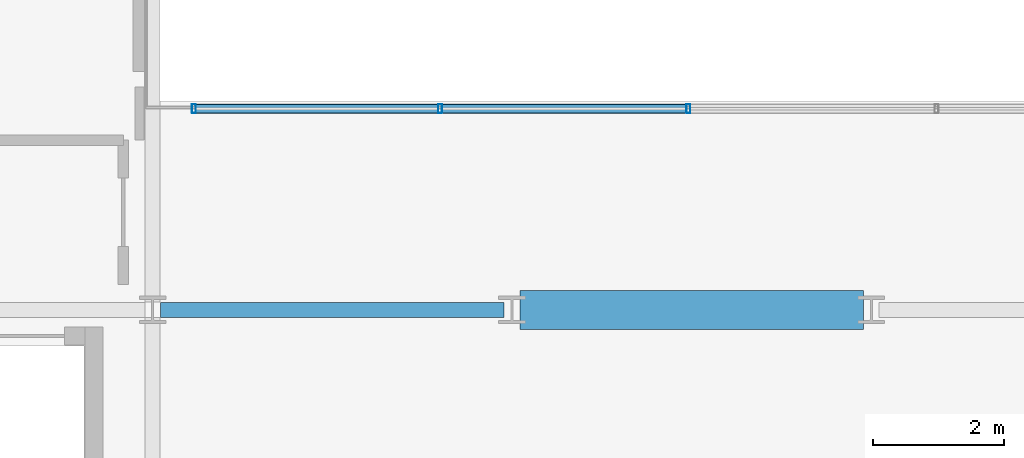
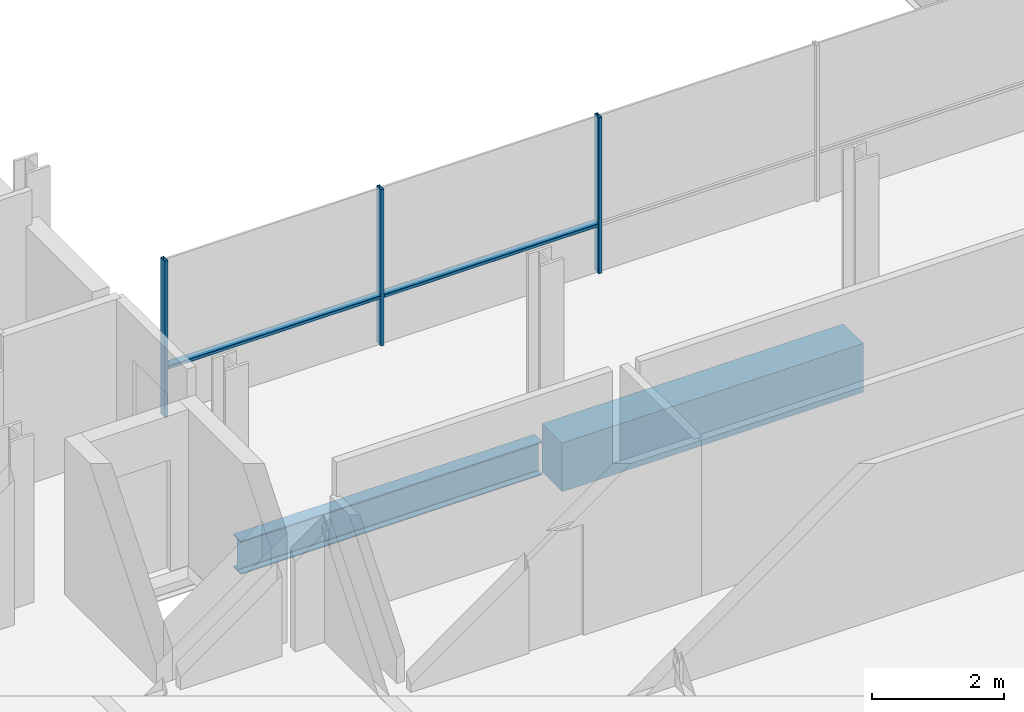
# One storey, part 4 of 38: 5 members, 2 beams, 1 element without a shape of its own.
"""IFC4 building model written with IfcOpenShell, lengths in metres."""

import ifcopenshell
import ifcopenshell.guid

model = None  # the IFC model being written
_history = None  # IfcOwnerHistory: only IFC2X3 demands one
_inside = {}  # id of a spatial element -> (the spatial element, [elements in it])
_under = {}  # id of a project, library or spatial element -> (it, [spatial elements below it])
_declared = {}  # id of a project -> (the project, [libraries it declares])
_typed = {}  # id of a type object -> (the type object, [elements of that type])
_made_of = {}  # id of a material, layer set ... -> (it, [elements and type objects made of it])


def new_model(schema):
    """Start an empty IFC model of exactly this schema.

    Asked for "IFC4X3", IfcOpenShell would pick the latest addendum, in which some entities
    have other attributes; the version numbers below select the first issue.
    IFC2X3 requires an IfcOwnerHistory on every rooted entity: one is made here for all.
    """
    global model, _history
    if schema == "IFC4X3":
        model = ifcopenshell.file(schema_version=(4, 3, 0, 0))
    else:
        model = ifcopenshell.file(schema=schema)
    _inside.clear()
    _under.clear()
    _declared.clear()
    _typed.clear()
    _made_of.clear()
    _history = None
    if model.schema == "IFC2X3":
        org = make("IfcOrganization", Name="unknown")
        user = make(
            "IfcPersonAndOrganization",
            ThePerson=make("IfcPerson", FamilyName="unknown"),
            TheOrganization=org,
        )
        app = make(
            "IfcApplication",
            ApplicationDeveloper=org,
            Version="unknown",
            ApplicationFullName="unknown",
            ApplicationIdentifier="unknown",
        )
        _history = make(
            "IfcOwnerHistory",
            OwningUser=user,
            OwningApplication=app,
            ChangeAction="ADDED",
            CreationDate=0,
        )
    return model


def make(cls, **values):
    """One entity of the class cls with the attributes given. An attribute that is None is left unset."""
    return model.create_entity(
        cls, **{name: value for name, value in values.items() if value is not None}
    )


def rooted(cls, **values):
    """An entity with a GlobalId (a new one), such as an element, a storey or a relation."""
    return make(cls, GlobalId=ifcopenshell.guid.new(), OwnerHistory=_history, **values)


def si_unit(unit_type, name, prefix=None):
    """IfcSIUnit, for example si_unit("LENGTHUNIT", "METRE", prefix="MILLI")."""
    return make("IfcSIUnit", UnitType=unit_type, Prefix=prefix, Name=name)


def assignment(units):
    """IfcUnitAssignment: the units of a project."""
    return None if units is None else make("IfcUnitAssignment", Units=units)


def point(xyz):
    """IfcCartesianPoint."""
    return None if xyz is None else make("IfcCartesianPoint", Coordinates=xyz)


def direction(xyz):
    """IfcDirection."""
    return None if xyz is None else make("IfcDirection", DirectionRatios=xyz)


def frame(location, z_axis=None, x_axis=None):
    """IfcAxis2Placement3D, a coordinate frame: its origin and axes. An axis left out is left unset."""
    return make(
        "IfcAxis2Placement3D",
        Location=point(location),
        Axis=direction(z_axis),
        RefDirection=direction(x_axis),
    )


def frame_2d(location, x_axis=None):
    """IfcAxis2Placement2D, a coordinate frame in the plane: its origin and x axis."""
    return make(
        "IfcAxis2Placement2D", Location=point(location), RefDirection=direction(x_axis)
    )


def origin():
    """The frame at (0, 0, 0) with its axes left unset."""
    return frame((0.0, 0.0, 0.0))


def origin_2d():
    """The frame at (0, 0) in the plane with its x axis left unset."""
    return frame_2d((0.0, 0.0))


def place(relative_to, where):
    """IfcLocalPlacement: puts the frame where relative to a parent placement (None: the world)."""
    return make(
        "IfcLocalPlacement", PlacementRelTo=relative_to, RelativePlacement=where
    )


def context(
    kind, dimensions, precision=None, world=None, true_north=None, identifier=None
):
    """IfcGeometricRepresentationContext, for example the 3D "Model" context."""
    return make(
        "IfcGeometricRepresentationContext",
        ContextIdentifier=identifier,
        ContextType=kind,
        CoordinateSpaceDimension=dimensions,
        Precision=precision,
        WorldCoordinateSystem=world,
        TrueNorth=true_north,
    )


def subcontext(parent, identifier, kind, view, scale=None):
    """IfcGeometricRepresentationSubContext, for example "Body" below "Model"."""
    return make(
        "IfcGeometricRepresentationSubContext",
        ContextIdentifier=identifier,
        ContextType=kind,
        ParentContext=parent,
        TargetScale=scale,
        TargetView=view,
    )


def project(units=None, contexts=None):
    """IfcProject with its units and contexts."""
    return rooted(
        "IfcProject",
        Name="project",
        RepresentationContexts=contexts,
        UnitsInContext=assignment(units),
    )


def spatial(cls, under=None, at=None, **own):
    """A site, building, storey or space (cls), placed at a placement, below another one or the project."""
    s = rooted(cls, ObjectPlacement=at, **own)
    if under is not None:
        _under.setdefault(under.id(), (under, []))[1].append(s)
    return s


def profile(cls, at=None, kind="AREA", **sizes):
    """A parametric profile (cls). Its sizes go by their IFC names, for example OverallWidth=200.0."""
    return make(cls, ProfileType=kind, Position=at, **sizes)


def rectangle(**sizes):
    """IfcRectangleProfileDef."""
    return profile("IfcRectangleProfileDef", **sizes)


def hollow_rectangle(**sizes):
    """IfcRectangleHollowProfileDef."""
    return profile("IfcRectangleHollowProfileDef", **sizes)


def i_section(**sizes):
    """IfcIShapeProfileDef."""
    return profile("IfcIShapeProfileDef", **sizes)


def extrude(swept, where, along, depth):
    """IfcExtrudedAreaSolid: the profile swept, set in the frame where, extruded along a direction by depth."""
    return make(
        "IfcExtrudedAreaSolid",
        SweptArea=swept,
        Position=where,
        ExtrudedDirection=direction(along),
        Depth=depth,
    )


def shape(context_of_items, identifier, shape_type, items):
    """IfcShapeRepresentation: the items that make up one representation, for example the "Body"."""
    return make(
        "IfcShapeRepresentation",
        ContextOfItems=context_of_items,
        RepresentationIdentifier=identifier,
        RepresentationType=shape_type,
        Items=items,
    )


def material(Name=None, Category=None):
    """IfcMaterial."""
    return make("IfcMaterial", Name=Name, Category=Category)


def layer(
    of_material, thickness, ventilated=None, Name=None, Category=None, Priority=None
):
    """IfcMaterialLayer: one layer of a wall or slab, of a material (None: an air gap)."""
    return make(
        "IfcMaterialLayer",
        Material=of_material,
        LayerThickness=thickness,
        IsVentilated=ventilated,
        Name=Name,
        Category=Category,
        Priority=Priority,
    )


def layer_set(layers, Name=None):
    """IfcMaterialLayerSet."""
    return make("IfcMaterialLayerSet", MaterialLayers=layers, LayerSetName=Name)


def material_profile(
    of_material, cross_section, Name=None, Category=None, Priority=None
):
    """IfcMaterialProfile: a cross section and its material."""
    return make(
        "IfcMaterialProfile",
        Name=Name,
        Material=of_material,
        Profile=cross_section,
        Priority=Priority,
        Category=Category,
    )


def profile_set(profiles, Name=None, composite=None):
    """IfcMaterialProfileSet."""
    return make(
        "IfcMaterialProfileSet",
        Name=Name,
        MaterialProfiles=profiles,
        CompositeProfile=composite,
    )


def made_of(thing, what):
    """Note that an element or type object is made of a material, layer set ...; save() writes the relation."""
    if what is not None:
        _made_of.setdefault(what.id(), (what, []))[1].append(thing)
    return thing


def type_object(cls, material=None, **own):
    """A type object (cls), such as IfcWallType, which elements share."""
    return made_of(rooted(cls, **own), material)


def element(
    cls,
    number,
    at=None,
    inside=None,
    cuts=None,
    type_object=None,
    material=None,
    context=None,
    identifier="Body",
    shape_type=None,
    held_by="IfcProductDefinitionShape",
    body=None,
    shapes=None,
    **own,
):
    """One element of the class cls, such as IfcWall. Its Tag is "e" and its number.

    at: its placement. inside: the storey or other place that contains it. cuts: it is an
    opening in that element (IfcRelVoidsElement). A single representation is given by context,
    identifier, shape_type and body (its items); several are given by shapes. held_by: the class
    of the entity that holds the representations. save() writes the other relations.
    """
    e = rooted(cls, Tag="e%d" % number, ObjectPlacement=at, **own)
    if body is not None:
        shapes = [shape(context, identifier, shape_type, body)]
    if shapes is not None:
        e.Representation = make(held_by, Representations=shapes)
    if inside is not None:
        _inside.setdefault(inside.id(), (inside, []))[1].append(e)
    if cuts is not None:
        rooted(
            "IfcRelVoidsElement", RelatingBuildingElement=cuts, RelatedOpeningElement=e
        )
    if type_object is not None:
        _typed.setdefault(type_object.id(), (type_object, []))[1].append(e)
    return made_of(e, material)


def aggregate(whole, parts):
    """IfcRelAggregates: a whole, such as a stair, and the parts it consists of."""
    return rooted("IfcRelAggregates", RelatingObject=whole, RelatedObjects=parts)


def save(model, path):
    """Write the relations noted so far, then the file.

    IfcRelAggregates (storeys below a building ...), IfcRelContainedInSpatialStructure (elements
    in a storey), IfcRelDefinesByType, IfcRelAssociatesMaterial and IfcRelDeclares: one each for
    every whole, place, type object, material and project.
    """
    for whole, parts in _under.values():
        aggregate(whole, parts)
    for where, things in _inside.values():
        rooted(
            "IfcRelContainedInSpatialStructure",
            RelatedElements=things,
            RelatingStructure=where,
        )
    for kind, things in _typed.values():
        rooted("IfcRelDefinesByType", RelatedObjects=things, RelatingType=kind)
    for what, things in _made_of.values():
        rooted("IfcRelAssociatesMaterial", RelatedObjects=things, RelatingMaterial=what)
    for by, libraries in _declared.values():
        rooted("IfcRelDeclares", RelatingContext=by, RelatedDefinitions=libraries)
    model.write(path)


model = new_model("IFC4")

# Units and contexts
model_context = context("Model", 3, precision=1e-05, world=origin(), true_north=direction((0.0, 1.0)))
body_context = subcontext(model_context, "Body", "Model", "MODEL_VIEW")
ifc_project = project(units=[si_unit("LENGTHUNIT", "METRE"), si_unit("AREAUNIT", "SQUARE_METRE"), si_unit("VOLUMEUNIT", "CUBIC_METRE"), si_unit("PLANEANGLEUNIT", "RADIAN"), si_unit("MASSUNIT", "GRAM", prefix="KILO")], contexts=[model_context])

# Site, building, storey
site_placement = place(None, origin())
site = spatial("IfcSite", under=ifc_project, at=site_placement, CompositionType="ELEMENT")
building_placement = place(site_placement, origin())
building = spatial("IfcBuilding", under=site, at=building_placement, Name="Brevholm Reach", CompositionType="ELEMENT")
storey_placement = place(building_placement, frame((0.0, 0.0, 122.10009765625)))
storey = spatial("IfcBuildingStorey", under=building, at=storey_placement, Name="L36", CompositionType="ELEMENT", Elevation=122.10009765625)

# Beams
ifc_material_1 = material(Name="Concrete C50/60", Category="concrete")
ifc_material_profile_1 = material_profile(ifc_material_1, rectangle(XDim=0.60009765625, YDim=0.89990234375, at=origin_2d()), Name="RC 600x900")
ifc_profile_set_1 = profile_set([ifc_material_profile_1], Name="Concrete C50/60")
beam_type_1 = type_object("IfcBeamType", Name="BM-CB600", PredefinedType="LINTEL", material=ifc_profile_set_1)
beam_1_placement = place(storey_placement, frame((27.3701171875, 10.0, -0.670166015625), z_axis=(1.0, 0.0, 0.0), x_axis=(0.0, 1.0, 0.0)))
element("IfcBeam", 1, at=beam_1_placement, inside=storey, type_object=beam_type_1, Name="L36 CB-02 Framing Beam", PredefinedType="LINTEL", context=body_context, shape_type="SweptSolid", body=[
    extrude(rectangle(XDim=0.60009765625, YDim=0.89990234375, at=origin_2d()), origin(), (0.0, 0.0, 1.0), 5.259765625),
])
ifc_material_2 = material(Name="Structural Steel S355J2", Category="steel")
ifc_material_profile_2 = material_profile(ifc_material_2, i_section(OverallWidth=0.22900390625, OverallDepth=0.6123046875, WebThickness=0.011962890625, FlangeThickness=0.01953125, FilletRadius=0.0126953125, at=origin_2d()), Name="UKB 610x229x125")
ifc_profile_set_2 = profile_set([ifc_material_profile_2], Name="Structural Steel S355J2")
beam_type_2 = type_object("IfcBeamType", Name="BM-SP610", PredefinedType="SPANDREL", material=ifc_profile_set_2)
beam_2_placement = place(storey_placement, frame((21.8701171875, 10.0, -0.526123046875), z_axis=(1.0, 0.0, 0.0), x_axis=(0.0, 1.0, 0.0)))
element("IfcBeam", 2, at=beam_2_placement, inside=storey, type_object=beam_type_2, Name="L36 SP-01 Framing Beam", PredefinedType="SPANDREL", context=body_context, shape_type="SweptSolid", body=[
    extrude(i_section(OverallWidth=0.22900390625, OverallDepth=0.6123046875, WebThickness=0.011962890625, FlangeThickness=0.01953125, FilletRadius=0.0126953125, at=origin_2d()), origin(), (0.0, 0.0, 1.0), 5.259765625),
])

# Curtain wall, members
ifc_material_3 = material(Name="Dark Anodised Aluminium 6063-T6 and Solar-Control Glass", Category="aluminium")
ifc_layer = layer(ifc_material_3, 0.139892578125)
ifc_layer_set = layer_set([ifc_layer], Name="Dark Anodised Aluminium 6063-T6 and Solar-Control Glass")
curtain_wall_type = type_object("IfcCurtainWallType", Name="CW-02", PredefinedType="NOTDEFINED", material=ifc_layer_set)
curtain_wall_placement = place(storey_placement, origin())
curtain_wall = element("IfcCurtainWall", 3, at=curtain_wall_placement, inside=storey, type_object=curtain_wall_type, Name="L36 Curtain Wall CW-02", PredefinedType="NOTDEFINED")
ifc_material_4 = material(Name="Dark Anodised Aluminium 6063-T6", Category="aluminium")
ifc_material_profile_3 = material_profile(ifc_material_4, hollow_rectangle(XDim=0.06005859375, YDim=0.139892578125, WallThickness=0.0048828125, InnerFilletRadius=0.0048828125, OuterFilletRadius=0.010009765625, at=origin_2d()), Name="RHS 140x60x5")
ifc_profile_set_3 = profile_set([ifc_material_profile_3], Name="Dark Anodised Aluminium 6063-T6")
member_type_1 = type_object("IfcMemberType", Name="CWM-140", PredefinedType="MULLION", material=ifc_profile_set_3)
member_1_placement = place(storey_placement, frame((22.3798828125, 13.080078125, 0.0), z_axis=(0.0, 0.0, 1.0), x_axis=(1.0, 0.0, 0.0)))
member_1 = element("IfcMember", 4, at=member_1_placement, type_object=member_type_1, Name="CM-140 Mullion 1", PredefinedType="MULLION", context=body_context, shape_type="SweptSolid", body=[
    extrude(hollow_rectangle(XDim=0.06005859375, YDim=0.139892578125, WallThickness=0.0048828125, InnerFilletRadius=0.0048828125, OuterFilletRadius=0.010009765625, at=origin_2d()), origin(), (0.0, 0.0, 1.0), 2.8798828125),
])
member_2_placement = place(storey_placement, frame((26.14990234375, 13.080078125, 0.0), z_axis=(0.0, 0.0, 1.0), x_axis=(1.0, 0.0, 0.0)))
member_2 = element("IfcMember", 5, at=member_2_placement, type_object=member_type_1, Name="CM-140 Mullion 2", PredefinedType="MULLION", context=body_context, shape_type="SweptSolid", body=[
    extrude(hollow_rectangle(XDim=0.06005859375, YDim=0.139892578125, WallThickness=0.0048828125, InnerFilletRadius=0.0048828125, OuterFilletRadius=0.010009765625, at=origin_2d()), origin(), (0.0, 0.0, 1.0), 2.8798828125),
])
member_3_placement = place(storey_placement, frame((29.949951171875, 13.080078125, 0.0), z_axis=(0.0, 0.0, 1.0), x_axis=(1.0, 0.0, 0.0)))
member_3 = element("IfcMember", 6, at=member_3_placement, type_object=member_type_1, Name="CM-140 Mullion 3", PredefinedType="MULLION", context=body_context, shape_type="SweptSolid", body=[
    extrude(hollow_rectangle(XDim=0.06005859375, YDim=0.139892578125, WallThickness=0.0048828125, InnerFilletRadius=0.0048828125, OuterFilletRadius=0.010009765625, at=origin_2d()), origin(), (0.0, 0.0, 1.0), 2.8798828125),
])
ifc_material_5 = material(Name="Dark Anodised Aluminium 6063-T6", Category="aluminium")
ifc_material_profile_4 = material_profile(ifc_material_5, hollow_rectangle(XDim=0.06005859375, YDim=0.139892578125, WallThickness=0.0048828125, InnerFilletRadius=0.0048828125, OuterFilletRadius=0.010009765625, at=origin_2d()), Name="RHS 140x60x5")
ifc_profile_set_4 = profile_set([ifc_material_profile_4], Name="Dark Anodised Aluminium 6063-T6")
member_type_2 = type_object("IfcMemberType", Name="CWT-140", PredefinedType="NOTDEFINED", material=ifc_profile_set_4)
member_4_placement = place(storey_placement, frame((22.409912109375, 13.080078125, 0.89990234375), z_axis=(1.0, 0.0, 0.0), x_axis=(0.0, 0.0, 1.0)))
member_4 = element("IfcMember", 7, at=member_4_placement, type_object=member_type_2, Name="CT-140 Transom 1.1", ObjectType="TRANSOM", PredefinedType="USERDEFINED", context=body_context, shape_type="SweptSolid", body=[
    extrude(hollow_rectangle(XDim=0.06005859375, YDim=0.139892578125, WallThickness=0.0048828125, InnerFilletRadius=0.0048828125, OuterFilletRadius=0.010009765625, at=origin_2d()), origin(), (0.0, 0.0, 1.0), 3.710205078125),
])
member_5_placement = place(storey_placement, frame((26.179931640625, 13.080078125, 0.89990234375), z_axis=(1.0, 0.0, 0.0), x_axis=(0.0, 0.0, 1.0)))
member_5 = element("IfcMember", 8, at=member_5_placement, type_object=member_type_2, Name="CT-140 Transom 2.1", ObjectType="TRANSOM", PredefinedType="USERDEFINED", context=body_context, shape_type="SweptSolid", body=[
    extrude(hollow_rectangle(XDim=0.06005859375, YDim=0.139892578125, WallThickness=0.0048828125, InnerFilletRadius=0.0048828125, OuterFilletRadius=0.010009765625, at=origin_2d()), origin(), (0.0, 0.0, 1.0), 3.739990234375),
])
aggregate(curtain_wall, [member_1, member_2, member_3, member_4, member_5])

save(model, "model.ifc")
